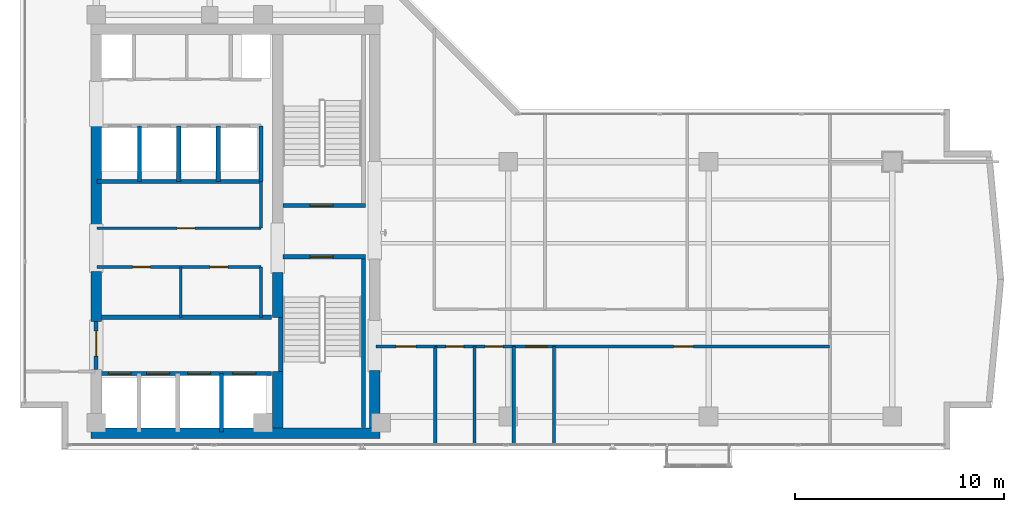
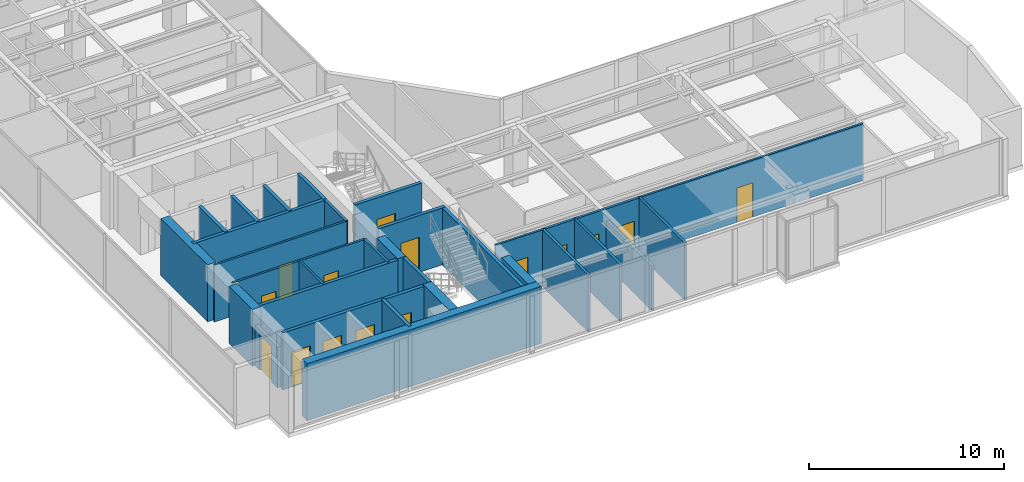
# One storey, part 17 of 24: 31 walls, 15 doors, 15 openings.
"""IFC4 building model written with IfcOpenShell, lengths in metres."""

from ifc_helpers import new_model, si_unit, direction, frame, frame_2d, origin, place, context, subcontext, project, spatial, rectangle, extrude, material, layer, layer_set, type_object, element, fill, save


model = new_model("IFC4")

# Units and contexts
model_context = context("Model", 3, precision=1e-05, world=origin(), true_north=direction((0.0, 1.0)))
body_context = subcontext(model_context, "Body", "Model", "MODEL_VIEW")
ifc_project = project(units=[si_unit("LENGTHUNIT", "METRE"), si_unit("AREAUNIT", "SQUARE_METRE"), si_unit("VOLUMEUNIT", "CUBIC_METRE"), si_unit("PLANEANGLEUNIT", "RADIAN"), si_unit("MASSUNIT", "GRAM", prefix="KILO")], contexts=[model_context])

# Site, building, storey
site_placement = place(None, origin())
site = spatial("IfcSite", under=ifc_project, at=site_placement, CompositionType="ELEMENT")
building_placement = place(site_placement, origin())
building = spatial("IfcBuilding", under=site, at=building_placement, Name="Kolvaren Waterfront Exchange", CompositionType="ELEMENT")
storey_placement = place(building_placement, frame((0.0, 0.0, 285.60009765625)))
storey = spatial("IfcBuildingStorey", under=building, at=storey_placement, Name="L73", CompositionType="ELEMENT", Elevation=285.60009765625)

# Wall, opening, door
ifc_material_1 = material(Name="Precast concrete C40/50", Category="concrete")
ifc_layer_1 = layer(ifc_material_1, 0.199951171875, Name="Precast concrete C40/50")
ifc_layer_set_1 = layer_set([ifc_layer_1], Name="Precast concrete C40/50")
wall_type_1 = type_object("IfcWallType", Name="ARC-FIRE-200", PredefinedType="PARTITIONING", material=ifc_layer_set_1)
wall_1_placement = place(storey_placement, frame((16.39990234375, 12.85009765625, 0.0), z_axis=(0.0, 0.0, 1.0), x_axis=(1.0, 0.0, 0.0)))
wall_1 = element("IfcWall", 1, at=wall_1_placement, inside=storey, type_object=wall_type_1, Name="L73 interior wall PW-L73-ST1-THROAT-S", PredefinedType="PARTITIONING", context=body_context, shape_type="SweptSolid", body=[
    extrude(rectangle(XDim=3.960205078125, YDim=0.199951171875, at=frame_2d((1.97998046875, 0.0))), origin(), (0.0, 0.0, 1.0), 3.559814453125),
])
opening_1_placement = place(wall_1_placement, frame((1.3037109375, 0.0, 0.0)))
opening_1 = element("IfcOpeningElement", 2, at=opening_1_placement, cuts=wall_1, Name="Opening FD2", PredefinedType="OPENING", context=body_context, shape_type="SweptSolid", body=[
    extrude(rectangle(XDim=1.10009765625, YDim=2.199951171875, at=frame_2d((0.550048828125, 1.10009765625))), frame((0.0, 0.10986328125, 0.0), z_axis=(0.0, -1.0, 0.0), x_axis=(1.0, 0.0, 0.0)), (0.0, 0.0, 1.0), 0.219970703125),
])
ifc_material_2 = material(Name="Pressed steel smoke-seal fire door", Category="steel")
door_type_1 = type_object("IfcDoorType", Name="ARC-FD-1100", OperationType="NOTDEFINED", PredefinedType="DOOR", material=ifc_material_2)
door_1_placement = place(opening_1_placement, frame((1.10009765625, 0.0, 0.0), z_axis=(0.0, 0.0, 1.0), x_axis=(-1.0, 0.0, 0.0)))
door_1 = element("IfcDoor", 3, at=door_1_placement, inside=storey, type_object=door_type_1, Name="L73 door DR-L73-ST1-IN (FD2)", OperationType="SINGLE_SWING_LEFT", OverallHeight=2.199951171875, OverallWidth=1.10009765625, PredefinedType="DOOR", context=body_context, shape_type="SweptSolid", body=[
    extrude(rectangle(XDim=1.10009765625, YDim=2.199951171875, at=frame_2d((0.550048828125, 1.10009765625))), frame((0.0, 0.02490234375, 0.0), z_axis=(0.0, -1.0, 0.0), x_axis=(1.0, 0.0, 0.0)), (0.0, 0.0, 1.0), 0.050048828125),
])
fill(opening_1, door_1)

wall_2_placement = place(storey_placement, frame((16.409912109375, 15.300048828125, 0.0), z_axis=(0.0, 0.0, 1.0), x_axis=(1.0, 0.0, 0.0)))
wall_2 = element("IfcWall", 4, at=wall_2_placement, inside=storey, type_object=wall_type_1, Name="L73 interior wall PW-L73-ST2-THROAT-N", PredefinedType="PARTITIONING", context=body_context, shape_type="SweptSolid", body=[
    extrude(rectangle(XDim=3.9501953125, YDim=0.199951171875, at=frame_2d((1.97509765625, 0.0))), origin(), (0.0, 0.0, 1.0), 3.559814453125),
])
opening_2_placement = place(wall_2_placement, frame((1.293701171875, 0.0, 0.0)))
opening_2 = element("IfcOpeningElement", 5, at=opening_2_placement, cuts=wall_2, Name="Opening FD2", PredefinedType="OPENING", context=body_context, shape_type="SweptSolid", body=[
    extrude(rectangle(XDim=1.10009765625, YDim=2.199951171875, at=frame_2d((0.550048828125, 1.10009765625))), frame((0.0, 0.10986328125, 0.0), z_axis=(0.0, -1.0, 0.0), x_axis=(1.0, 0.0, 0.0)), (0.0, 0.0, 1.0), 0.219970703125),
])
door_2_placement = place(opening_2_placement, origin())
door_2 = element("IfcDoor", 6, at=door_2_placement, inside=storey, type_object=door_type_1, Name="L73 door DR-L73-ST2-IN (FD2)", OperationType="SINGLE_SWING_RIGHT", OverallHeight=2.199951171875, OverallWidth=1.10009765625, PredefinedType="DOOR", context=body_context, shape_type="SweptSolid", body=[
    extrude(rectangle(XDim=1.10009765625, YDim=2.199951171875, at=frame_2d((0.550048828125, 1.10009765625))), frame((0.0, 0.02490234375, 0.0), z_axis=(0.0, -1.0, 0.0), x_axis=(1.0, 0.0, 0.0)), (0.0, 0.0, 1.0), 0.050048828125),
])
fill(opening_2, door_2)

# Wall
wall_3_placement = place(storey_placement, frame((7.5, 9.949951171875, 0.0), z_axis=(0.0, 0.0, 1.0), x_axis=(1.0, 0.0, 0.0)))
element("IfcWall", 7, at=wall_3_placement, inside=storey, type_object=wall_type_1, Name="L73 interior wall PW-L73-FF-N", PredefinedType="PARTITIONING", context=body_context, shape_type="SweptSolid", body=[
    extrude(rectangle(XDim=8.35009765625, YDim=0.199951171875, at=frame_2d((4.175048828125, 0.0))), origin(), (0.0, 0.0, 1.0), 3.559814453125),
])

# Wall, opening, door
wall_4_placement = place(storey_placement, frame((7.449951171875, 7.449951171875, 0.0), z_axis=(0.0, 0.0, 1.0), x_axis=(0.0, 1.0, 0.0)))
wall_4 = element("IfcWall", 8, at=wall_4_placement, inside=storey, type_object=wall_type_1, Name="L73 interior wall PW-L73-FF-W-DOOR", PredefinedType="PARTITIONING", context=body_context, shape_type="SweptSolid", body=[
    extrude(rectangle(XDim=2.300048828125, YDim=0.199951171875, at=frame_2d((1.14990234375, 0.0))), origin(), (0.0, 0.0, 1.0), 2.539794921875),
])
opening_3_placement = place(wall_4_placement, frame((0.63330078125, 0.0, 0.0)))
opening_3 = element("IfcOpeningElement", 9, at=opening_3_placement, cuts=wall_4, Name="Opening FD3", PredefinedType="OPENING", context=body_context, shape_type="SweptSolid", body=[
    extrude(rectangle(XDim=1.199951171875, YDim=2.25, at=frame_2d((0.60009765625, 1.125))), frame((0.0, 0.10986328125, 0.0), z_axis=(0.0, -1.0, 0.0), x_axis=(1.0, 0.0, 0.0)), (0.0, 0.0, 1.0), 0.219970703125),
])
ifc_material_3 = material(Name="Pressed steel fire door", Category="steel")
door_type_2 = type_object("IfcDoorType", Name="ARC-FD-1200", OperationType="NOTDEFINED", PredefinedType="DOOR", material=ifc_material_3)
door_3_placement = place(opening_3_placement, frame((1.199951171875, 0.0, 0.0), z_axis=(0.0, 0.0, 1.0), x_axis=(-1.0, 0.0, 0.0)))
door_3 = element("IfcDoor", 10, at=door_3_placement, inside=storey, type_object=door_type_2, Name="L73 door DR-L73-FF-OUT (FD3)", OperationType="SINGLE_SWING_LEFT", OverallHeight=2.25, OverallWidth=1.199951171875, PredefinedType="DOOR", context=body_context, shape_type="SweptSolid", body=[
    extrude(rectangle(XDim=1.199951171875, YDim=2.25, at=frame_2d((0.60009765625, 1.125))), frame((0.0, 0.02490234375, 0.0), z_axis=(0.0, -1.0, 0.0), x_axis=(1.0, 0.0, 0.0)), (0.0, 0.0, 1.0), 0.050048828125),
])
fill(opening_3, door_3)

# Wall, openings, doors
ifc_material_4 = material(Name="Acoustic gypsum steel stud", Category="steel")
ifc_layer_2 = layer(ifc_material_4, 0.125, Name="Acoustic gypsum steel stud")
ifc_layer_set_2 = layer_set([ifc_layer_2], Name="Acoustic gypsum steel stud")
wall_type_2 = type_object("IfcWallType", Name="ARC-PART-125", PredefinedType="PARTITIONING", material=ifc_layer_set_2)
wall_5_placement = place(storey_placement, frame((7.5, 12.360107421875, 0.0), z_axis=(0.0, 0.0, 1.0), x_axis=(1.0, 0.0, 0.0)))
wall_5 = element("IfcWall", 11, at=wall_5_placement, inside=storey, type_object=wall_type_2, Name="L73 interior wall PW-L73-REC-HI-S", PredefinedType="PARTITIONING", context=body_context, shape_type="SweptSolid", body=[
    extrude(rectangle(XDim=7.85009765625, YDim=0.125, at=frame_2d((3.925048828125, 0.0))), origin(), (0.0, 0.0, 1.0), 3.559814453125),
])
opening_4_placement = place(wall_5_placement, frame((1.699951171875, 0.0, 0.0)))
opening_4 = element("IfcOpeningElement", 12, at=opening_4_placement, cuts=wall_5, Name="Opening D01", PredefinedType="OPENING", context=body_context, shape_type="SweptSolid", body=[
    extrude(rectangle(XDim=0.85009765625, YDim=2.14990234375, at=frame_2d((0.425048828125, 1.074951171875))), frame((0.0, 0.072509765625, 0.0), z_axis=(0.0, -1.0, 0.0), x_axis=(1.0, 0.0, 0.0)), (0.0, 0.0, 1.0), 0.14501953125),
])
opening_5_placement = place(wall_5_placement, frame((5.41259765625, 0.0, 0.0)))
opening_5 = element("IfcOpeningElement", 13, at=opening_5_placement, cuts=wall_5, Name="Opening D01", PredefinedType="OPENING", context=body_context, shape_type="SweptSolid", body=[
    extrude(rectangle(XDim=0.85009765625, YDim=2.14990234375, at=frame_2d((0.425048828125, 1.074951171875))), frame((0.0, 0.072509765625, 0.0), z_axis=(0.0, -1.0, 0.0), x_axis=(1.0, 0.0, 0.0)), (0.0, 0.0, 1.0), 0.14501953125),
])
ifc_material_5 = material(Name="Oak veneer timber leaf", Category="wood")
door_type_3 = type_object("IfcDoorType", Name="ARC-DR-900", OperationType="NOTDEFINED", PredefinedType="DOOR", material=ifc_material_5)
door_4_placement = place(opening_4_placement, origin())
door_4 = element("IfcDoor", 14, at=door_4_placement, inside=storey, type_object=door_type_3, Name="L73 door DR-L73-REC-HI-D1 (D01)", OperationType="SINGLE_SWING_RIGHT", OverallHeight=2.14990234375, OverallWidth=0.85009765625, PredefinedType="DOOR", context=body_context, shape_type="SweptSolid", body=[
    extrude(rectangle(XDim=0.85009765625, YDim=2.14990234375, at=frame_2d((0.425048828125, 1.074951171875))), frame((0.0, 0.02490234375, 0.0), z_axis=(0.0, -1.0, 0.0), x_axis=(1.0, 0.0, 0.0)), (0.0, 0.0, 1.0), 0.050048828125),
])
fill(opening_4, door_4)
door_5_placement = place(opening_5_placement, origin())
door_5 = element("IfcDoor", 15, at=door_5_placement, inside=storey, type_object=door_type_3, Name="L73 door DR-L73-REC-HI-D2 (D01)", OperationType="SINGLE_SWING_LEFT", OverallHeight=2.14990234375, OverallWidth=0.85009765625, PredefinedType="DOOR", context=body_context, shape_type="SweptSolid", body=[
    extrude(rectangle(XDim=0.85009765625, YDim=2.14990234375, at=frame_2d((0.425048828125, 1.074951171875))), frame((0.0, 0.02490234375, 0.0), z_axis=(0.0, -1.0, 0.0), x_axis=(1.0, 0.0, 0.0)), (0.0, 0.0, 1.0), 0.050048828125),
])
fill(opening_5, door_5)

# Wall, opening, door
wall_6_placement = place(storey_placement, frame((7.5, 14.219970703125, 0.0), z_axis=(0.0, 0.0, 1.0), x_axis=(1.0, 0.0, 0.0)))
wall_6 = element("IfcWall", 16, at=wall_6_placement, inside=storey, type_object=wall_type_2, Name="L73 interior wall PW-L73-REC-HI-N", PredefinedType="PARTITIONING", context=body_context, shape_type="SweptSolid", body=[
    extrude(rectangle(XDim=7.85009765625, YDim=0.125, at=frame_2d((3.925048828125, 0.0))), origin(), (0.0, 0.0, 1.0), 3.559814453125),
])
opening_6_placement = place(wall_6_placement, frame((3.824951171875, 0.0, 0.0)))
opening_6 = element("IfcOpeningElement", 17, at=opening_6_placement, cuts=wall_6, Name="Opening D01", PredefinedType="OPENING", context=body_context, shape_type="SweptSolid", body=[
    extrude(rectangle(XDim=0.85009765625, YDim=2.14990234375, at=frame_2d((0.425048828125, 1.074951171875))), frame((0.0, 0.072509765625, 0.0), z_axis=(0.0, -1.0, 0.0), x_axis=(1.0, 0.0, 0.0)), (0.0, 0.0, 1.0), 0.14501953125),
])
door_6_placement = place(opening_6_placement, origin())
door_6 = element("IfcDoor", 18, at=door_6_placement, inside=storey, type_object=door_type_3, Name="L73 door DR-L73-REC-HI-D3 (D01)", OperationType="SINGLE_SWING_RIGHT", OverallHeight=2.14990234375, OverallWidth=0.85009765625, PredefinedType="DOOR", context=body_context, shape_type="SweptSolid", body=[
    extrude(rectangle(XDim=0.85009765625, YDim=2.14990234375, at=frame_2d((0.425048828125, 1.074951171875))), frame((0.0, 0.02490234375, 0.0), z_axis=(0.0, -1.0, 0.0), x_axis=(1.0, 0.0, 0.0)), (0.0, 0.0, 1.0), 0.050048828125),
])
fill(opening_6, door_6)

# Wall
wall_7_placement = place(storey_placement, frame((11.5, 9.949951171875, 0.0), z_axis=(0.0, 0.0, 1.0), x_axis=(0.0, 1.0, 0.0)))
element("IfcWall", 19, at=wall_7_placement, inside=storey, type_object=wall_type_2, Name="L73 interior wall PW-L73-REC-HI-MS1", PredefinedType="PARTITIONING", context=body_context, shape_type="SweptSolid", body=[
    extrude(rectangle(XDim=2.41015625, YDim=0.125, at=frame_2d((1.205078125, 0.0))), origin(), (0.0, 0.0, 1.0), 3.559814453125),
])

# Wall, opening, door
wall_8_placement = place(storey_placement, frame((20.85009765625, 8.550048828125, 0.0), z_axis=(0.0, 0.0, 1.0), x_axis=(1.0, 0.0, 0.0)))
wall_8 = element("IfcWall", 20, at=wall_8_placement, inside=storey, type_object=wall_type_2, Name="L73 interior wall PW-L73-SWST3-N", PredefinedType="PARTITIONING", context=body_context, shape_type="SweptSolid", body=[
    extrude(rectangle(XDim=2.849853515625, YDim=0.125, at=frame_2d((1.4248046875, 0.0))), origin(), (0.0, 0.0, 1.0), 3.559814453125),
])
opening_7_placement = place(wall_8_placement, frame((0.971435546875, 0.0, 0.0)))
opening_7 = element("IfcOpeningElement", 21, at=opening_7_placement, cuts=wall_8, Name="Opening D02", PredefinedType="OPENING", context=body_context, shape_type="SweptSolid", body=[
    extrude(rectangle(XDim=0.949951171875, YDim=2.14990234375, at=frame_2d((0.47509765625, 1.074951171875))), frame((0.0, 0.072509765625, 0.0), z_axis=(0.0, -1.0, 0.0), x_axis=(1.0, 0.0, 0.0)), (0.0, 0.0, 1.0), 0.14501953125),
])
ifc_material_6 = material(Name="Oak veneer acoustic timber", Category="wood")
door_type_4 = type_object("IfcDoorType", Name="ARC-DR-950", OperationType="NOTDEFINED", PredefinedType="DOOR", material=ifc_material_6)
door_7_placement = place(opening_7_placement, origin())
door_7 = element("IfcDoor", 22, at=door_7_placement, inside=storey, type_object=door_type_4, Name="L73 door DR-L73-SWST3-D (D02)", OperationType="SINGLE_SWING_RIGHT", OverallHeight=2.14990234375, OverallWidth=0.949951171875, PredefinedType="DOOR", context=body_context, shape_type="SweptSolid", body=[
    extrude(rectangle(XDim=0.949951171875, YDim=2.14990234375, at=frame_2d((0.47509765625, 1.074951171875))), frame((0.0, 0.02490234375, 0.0), z_axis=(0.0, -1.0, 0.0), x_axis=(1.0, 0.0, 0.0)), (0.0, 0.0, 1.0), 0.050048828125),
])
fill(opening_7, door_7)

wall_9_placement = place(storey_placement, frame((29.39990234375, 8.550048828125, 0.0), z_axis=(0.0, 0.0, 1.0), x_axis=(1.0, 0.0, 0.0)))
wall_9 = element("IfcWall", 23, at=wall_9_placement, inside=storey, type_object=wall_type_2, Name="L73 interior wall PW-L73-ES-CORR", PredefinedType="PARTITIONING", context=body_context, shape_type="SweptSolid", body=[
    extrude(rectangle(XDim=13.2001953125, YDim=0.125, at=frame_2d((6.60009765625, 0.0))), origin(), (0.0, 0.0, 1.0), 3.559814453125),
])
opening_8_placement = place(wall_9_placement, frame((5.719970703125, 0.0, 0.0)))
opening_8 = element("IfcOpeningElement", 24, at=opening_8_placement, cuts=wall_9, Name="Opening D02", PredefinedType="OPENING", context=body_context, shape_type="SweptSolid", body=[
    extrude(rectangle(XDim=0.949951171875, YDim=2.14990234375, at=frame_2d((0.47509765625, 1.074951171875))), frame((0.0, 0.072509765625, 0.0), z_axis=(0.0, -1.0, 0.0), x_axis=(1.0, 0.0, 0.0)), (0.0, 0.0, 1.0), 0.14501953125),
])
door_8_placement = place(opening_8_placement, origin())
door_8 = element("IfcDoor", 25, at=door_8_placement, inside=storey, type_object=door_type_4, Name="L73 door DR-L73-ES-D-1 (D02)", OperationType="SINGLE_SWING_LEFT", OverallHeight=2.14990234375, OverallWidth=0.949951171875, PredefinedType="DOOR", context=body_context, shape_type="SweptSolid", body=[
    extrude(rectangle(XDim=0.949951171875, YDim=2.14990234375, at=frame_2d((0.47509765625, 1.074951171875))), frame((0.0, 0.02490234375, 0.0), z_axis=(0.0, -1.0, 0.0), x_axis=(1.0, 0.0, 0.0)), (0.0, 0.0, 1.0), 0.050048828125),
])
fill(opening_8, door_8)

# Walls
ifc_material_7 = material(Name="Gypsum fireboard steel stud", Category="steel")
ifc_layer_3 = layer(ifc_material_7, 0.14990234375, Name="Gypsum fireboard steel stud")
ifc_layer_set_3 = layer_set([ifc_layer_3], Name="Gypsum fireboard steel stud")
wall_type_3 = type_object("IfcWallType", Name="ARC-PART-150", PredefinedType="PARTITIONING", material=ifc_layer_set_3)
wall_10_placement = place(storey_placement, frame((15.35009765625, 9.949951171875, 0.0), z_axis=(0.0, 0.0, 1.0), x_axis=(0.0, 1.0, 0.0)))
element("IfcWall", 26, at=wall_10_placement, inside=storey, type_object=wall_type_3, Name="L73 interior wall PW-L73-REC-HI-E1", PredefinedType="PARTITIONING", context=body_context, shape_type="SweptSolid", body=[
    extrude(rectangle(XDim=2.41015625, YDim=0.14990234375, at=frame_2d((1.205078125, 0.0))), origin(), (0.0, 0.0, 1.0), 3.559814453125),
])
wall_11_placement = place(storey_placement, frame((15.35009765625, 14.219970703125, 0.0), z_axis=(0.0, 0.0, 1.0), x_axis=(0.0, 1.0, 0.0)))
element("IfcWall", 27, at=wall_11_placement, inside=storey, type_object=wall_type_3, Name="L73 interior wall PW-L73-REC-HI-E2", PredefinedType="PARTITIONING", context=body_context, shape_type="SweptSolid", body=[
    extrude(rectangle(XDim=2.22998046875, YDim=0.14990234375, at=frame_2d((1.114990234375, 0.0))), origin(), (0.0, 0.0, 1.0), 3.559814453125),
])
ifc_material_8 = material(Name="Moisture-resistant gypsum stud")
ifc_layer_4 = layer(ifc_material_8, 0.14990234375, Name="Moisture-resistant gypsum stud")
ifc_layer_set_4 = layer_set([ifc_layer_4], Name="Moisture-resistant gypsum stud")
wall_type_4 = type_object("IfcWallType", Name="ARC-PLUMB-150", PredefinedType="PLUMBINGWALL", material=ifc_layer_set_4)
wall_12_placement = place(storey_placement, frame((23.699951171875, 3.840087890625, 0.0), z_axis=(0.0, 0.0, 1.0), x_axis=(0.0, 1.0, 0.0)))
element("IfcWall", 28, at=wall_12_placement, inside=storey, type_object=wall_type_4, Name="L73 interior wall PW-L73-WC-0", PredefinedType="PLUMBINGWALL", context=body_context, shape_type="SweptSolid", body=[
    extrude(rectangle(XDim=4.7099609375, YDim=0.14990234375, at=frame_2d((2.35498046875, 0.0))), origin(), (0.0, 0.0, 1.0), 3.559814453125),
])

# Wall, openings, doors
wall_13_placement = place(storey_placement, frame((23.699951171875, 8.550048828125, 0.0), z_axis=(0.0, 0.0, 1.0), x_axis=(1.0, 0.0, 0.0)))
wall_13 = element("IfcWall", 29, at=wall_13_placement, inside=storey, type_object=wall_type_4, Name="L73 interior wall PW-L73-WC-N", PredefinedType="PLUMBINGWALL", context=body_context, shape_type="SweptSolid", body=[
    extrude(rectangle(XDim=5.699951171875, YDim=0.14990234375, at=frame_2d((2.85009765625, 0.0))), origin(), (0.0, 0.0, 1.0), 3.559814453125),
])
opening_9_placement = place(wall_13_placement, frame((0.514892578125, 0.0, 0.0)))
opening_9 = element("IfcOpeningElement", 30, at=opening_9_placement, cuts=wall_13, Name="Opening D01", PredefinedType="OPENING", context=body_context, shape_type="SweptSolid", body=[
    extrude(rectangle(XDim=0.85009765625, YDim=2.14990234375, at=frame_2d((0.425048828125, 1.074951171875))), frame((0.0, 0.0849609375, 0.0), z_axis=(0.0, -1.0, 0.0), x_axis=(1.0, 0.0, 0.0)), (0.0, 0.0, 1.0), 0.169921875),
])
opening_10_placement = place(wall_13_placement, frame((2.39501953125, 0.0, 0.0)))
opening_10 = element("IfcOpeningElement", 31, at=opening_10_placement, cuts=wall_13, Name="Opening D01", PredefinedType="OPENING", context=body_context, shape_type="SweptSolid", body=[
    extrude(rectangle(XDim=0.85009765625, YDim=2.14990234375, at=frame_2d((0.425048828125, 1.074951171875))), frame((0.0, 0.0849609375, 0.0), z_axis=(0.0, -1.0, 0.0), x_axis=(1.0, 0.0, 0.0)), (0.0, 0.0, 1.0), 0.169921875),
])
opening_11_placement = place(wall_13_placement, frame((4.35009765625, 0.0, 0.0)))
opening_11 = element("IfcOpeningElement", 32, at=opening_11_placement, cuts=wall_13, Name="Opening D03", PredefinedType="OPENING", context=body_context, shape_type="SweptSolid", body=[
    extrude(rectangle(XDim=1.0, YDim=2.199951171875, at=frame_2d((0.5, 1.10009765625))), frame((0.0, 0.0849609375, 0.0), z_axis=(0.0, -1.0, 0.0), x_axis=(1.0, 0.0, 0.0)), (0.0, 0.0, 1.0), 0.169921875),
])
ifc_material_9 = material(Name="Oak veneer accessible timber", Category="wood")
door_type_5 = type_object("IfcDoorType", Name="ARC-DR-1000", OperationType="NOTDEFINED", PredefinedType="DOOR", material=ifc_material_9)
door_9_placement = place(opening_11_placement, origin())
door_9 = element("IfcDoor", 33, at=door_9_placement, inside=storey, type_object=door_type_5, Name="L73 door DR-L73-WCA-D (D03)", OperationType="SINGLE_SWING_RIGHT", OverallHeight=2.199951171875, OverallWidth=1.0, PredefinedType="DOOR", context=body_context, shape_type="SweptSolid", body=[
    extrude(rectangle(XDim=1.0, YDim=2.199951171875, at=frame_2d((0.5, 1.10009765625))), frame((0.0, 0.02490234375, 0.0), z_axis=(0.0, -1.0, 0.0), x_axis=(1.0, 0.0, 0.0)), (0.0, 0.0, 1.0), 0.050048828125),
])
fill(opening_11, door_9)
door_10_placement = place(opening_9_placement, origin())
door_10 = element("IfcDoor", 34, at=door_10_placement, inside=storey, type_object=door_type_3, Name="L73 door DR-L73-WCM-D (D01)", OperationType="SINGLE_SWING_RIGHT", OverallHeight=2.14990234375, OverallWidth=0.85009765625, PredefinedType="DOOR", context=body_context, shape_type="SweptSolid", body=[
    extrude(rectangle(XDim=0.85009765625, YDim=2.14990234375, at=frame_2d((0.425048828125, 1.074951171875))), frame((0.0, 0.02490234375, 0.0), z_axis=(0.0, -1.0, 0.0), x_axis=(1.0, 0.0, 0.0)), (0.0, 0.0, 1.0), 0.050048828125),
])
fill(opening_9, door_10)
door_11_placement = place(opening_10_placement, origin())
door_11 = element("IfcDoor", 35, at=door_11_placement, inside=storey, type_object=door_type_3, Name="L73 door DR-L73-WCF-D (D01)", OperationType="SINGLE_SWING_LEFT", OverallHeight=2.14990234375, OverallWidth=0.85009765625, PredefinedType="DOOR", context=body_context, shape_type="SweptSolid", body=[
    extrude(rectangle(XDim=0.85009765625, YDim=2.14990234375, at=frame_2d((0.425048828125, 1.074951171875))), frame((0.0, 0.02490234375, 0.0), z_axis=(0.0, -1.0, 0.0), x_axis=(1.0, 0.0, 0.0)), (0.0, 0.0, 1.0), 0.050048828125),
])
fill(opening_10, door_11)

# Walls
wall_14_placement = place(storey_placement, frame((25.580078125, 3.840087890625, 0.0), z_axis=(0.0, 0.0, 1.0), x_axis=(0.0, 1.0, 0.0)))
element("IfcWall", 36, at=wall_14_placement, inside=storey, type_object=wall_type_4, Name="L73 interior wall PW-L73-WC-1", PredefinedType="PLUMBINGWALL", context=body_context, shape_type="SweptSolid", body=[
    extrude(rectangle(XDim=4.7099609375, YDim=0.14990234375, at=frame_2d((2.35498046875, 0.0))), origin(), (0.0, 0.0, 1.0), 3.559814453125),
])
wall_15_placement = place(storey_placement, frame((27.4599609375, 3.840087890625, 0.0), z_axis=(0.0, 0.0, 1.0), x_axis=(0.0, 1.0, 0.0)))
element("IfcWall", 37, at=wall_15_placement, inside=storey, type_object=wall_type_4, Name="L73 interior wall PW-L73-WC-2", PredefinedType="PLUMBINGWALL", context=body_context, shape_type="SweptSolid", body=[
    extrude(rectangle(XDim=4.7099609375, YDim=0.14990234375, at=frame_2d((2.35498046875, 0.0))), origin(), (0.0, 0.0, 1.0), 2.7978515625),
])
wall_16_placement = place(storey_placement, frame((29.39990234375, 3.840087890625, 0.0), z_axis=(0.0, 0.0, 1.0), x_axis=(0.0, 1.0, 0.0)))
element("IfcWall", 38, at=wall_16_placement, inside=storey, type_object=wall_type_4, Name="L73 interior wall PW-L73-WC-3", PredefinedType="PLUMBINGWALL", context=body_context, shape_type="SweptSolid", body=[
    extrude(rectangle(XDim=4.7099609375, YDim=0.14990234375, at=frame_2d((2.35498046875, 0.0))), origin(), (0.0, 0.0, 1.0), 3.559814453125),
])
ifc_material_10 = material(Name="Concrete C40/50", Category="concrete")
ifc_layer_5 = layer(ifc_material_10, 0.199951171875, Name="Concrete C40/50")
ifc_layer_set_5 = layer_set([ifc_layer_5], Name="Concrete C40/50")
wall_type_5 = type_object("IfcWallType", Name="ARC-SHAFT-200", PredefinedType="PARTITIONING", material=ifc_layer_set_5)
wall_17_placement = place(storey_placement, frame((16.300048828125, 7.360107421875, 0.0), z_axis=(0.0, 0.0, 1.0), x_axis=(0.0, 1.0, 0.0)))
element("IfcWall", 39, at=wall_17_placement, inside=storey, type_object=wall_type_5, Name="L73 structural stairwell wall PW-L73-ST1-W", PredefinedType="SHEAR", context=body_context, shape_type="SweptSolid", body=[
    extrude(rectangle(XDim=2.579833984375, YDim=0.199951171875, at=frame_2d((1.2900390625, 0.0))), origin(), (0.0, 0.0, 1.0), 3.559814453125),
])
wall_18_placement = place(storey_placement, frame((20.260009765625, 4.659912109375, 0.0), z_axis=(0.0, 0.0, 1.0), x_axis=(0.0, 1.0, 0.0)))
element("IfcWall", 40, at=wall_18_placement, inside=storey, type_object=wall_type_5, Name="L73 structural stairwell wall PW-L73-ST1-E", PredefinedType="SHEAR", context=body_context, shape_type="SweptSolid", body=[
    extrude(rectangle(XDim=8.090087890625, YDim=0.199951171875, at=frame_2d((4.044921875, 0.0))), origin(), (0.0, 0.0, 1.0), 3.559814453125),
])

# Wall, openings, doors
wall_19_placement = place(storey_placement, frame((7.5, 7.25, 0.0), z_axis=(0.0, 0.0, 1.0), x_axis=(1.0, 0.0, 0.0)))
wall_19 = element("IfcWall", 41, at=wall_19_placement, inside=storey, type_object=wall_type_5, Name="L73 interior wall PW-L73-FF-S", PredefinedType="PARTITIONING", context=body_context, shape_type="SweptSolid", body=[
    extrude(rectangle(XDim=8.35009765625, YDim=0.199951171875, at=frame_2d((4.175048828125, 0.0))), origin(), (0.0, 0.0, 1.0), 3.559814453125),
])
opening_12_placement = place(wall_19_placement, frame((0.530029296875, 0.0, 0.0)))
opening_12 = element("IfcOpeningElement", 42, at=opening_12_placement, cuts=wall_19, Name="Opening LD1", PredefinedType="OPENING", context=body_context, shape_type="SweptSolid", body=[
    extrude(rectangle(XDim=1.10009765625, YDim=2.199951171875, at=frame_2d((0.550048828125, 1.10009765625))), frame((0.0, 0.10986328125, 0.0), z_axis=(0.0, -1.0, 0.0), x_axis=(1.0, 0.0, 0.0)), (0.0, 0.0, 1.0), 0.219970703125),
])
opening_13_placement = place(wall_19_placement, frame((2.3701171875, 0.0, 0.0)))
opening_13 = element("IfcOpeningElement", 43, at=opening_13_placement, cuts=wall_19, Name="Opening LD1", PredefinedType="OPENING", context=body_context, shape_type="SweptSolid", body=[
    extrude(rectangle(XDim=1.10009765625, YDim=2.199951171875, at=frame_2d((0.550048828125, 1.10009765625))), frame((0.0, 0.10986328125, 0.0), z_axis=(0.0, -1.0, 0.0), x_axis=(1.0, 0.0, 0.0)), (0.0, 0.0, 1.0), 0.219970703125),
])
opening_14_placement = place(wall_19_placement, frame((4.330078125, 0.0, 0.0)))
opening_14 = element("IfcOpeningElement", 44, at=opening_14_placement, cuts=wall_19, Name="Opening LD1", PredefinedType="OPENING", context=body_context, shape_type="SweptSolid", body=[
    extrude(rectangle(XDim=1.10009765625, YDim=2.199951171875, at=frame_2d((0.550048828125, 1.10009765625))), frame((0.0, 0.10986328125, 0.0), z_axis=(0.0, -1.0, 0.0), x_axis=(1.0, 0.0, 0.0)), (0.0, 0.0, 1.0), 0.219970703125),
])
opening_15_placement = place(wall_19_placement, frame((6.5, 0.0, 0.0)))
opening_15 = element("IfcOpeningElement", 45, at=opening_15_placement, cuts=wall_19, Name="Opening LD1", PredefinedType="OPENING", context=body_context, shape_type="SweptSolid", body=[
    extrude(rectangle(XDim=1.10009765625, YDim=2.199951171875, at=frame_2d((0.550048828125, 1.10009765625))), frame((0.0, 0.10986328125, 0.0), z_axis=(0.0, -1.0, 0.0), x_axis=(1.0, 0.0, 0.0)), (0.0, 0.0, 1.0), 0.219970703125),
])
ifc_material_11 = material(Name="Stainless steel sliding landing door", Category="steel")
door_type_6 = type_object("IfcDoorType", Name="ARC-LD-FF", OperationType="SLIDING_TO_LEFT", PredefinedType="DOOR", material=ifc_material_11)
door_12_placement = place(opening_12_placement, origin())
door_12 = element("IfcDoor", 46, at=door_12_placement, inside=storey, type_object=door_type_6, Name="L73 door LD-L73-FFL1 (LD1)", OperationType="SLIDING_TO_LEFT", OverallHeight=2.199951171875, OverallWidth=1.10009765625, PredefinedType="DOOR", context=body_context, shape_type="SweptSolid", body=[
    extrude(rectangle(XDim=1.10009765625, YDim=2.199951171875, at=frame_2d((0.550048828125, 1.10009765625))), frame((0.0, 0.02490234375, 0.0), z_axis=(0.0, -1.0, 0.0), x_axis=(1.0, 0.0, 0.0)), (0.0, 0.0, 1.0), 0.050048828125),
])
fill(opening_12, door_12)
door_13_placement = place(opening_13_placement, origin())
door_13 = element("IfcDoor", 47, at=door_13_placement, inside=storey, type_object=door_type_6, Name="L73 door LD-L73-FFL2 (LD1)", OperationType="SLIDING_TO_LEFT", OverallHeight=2.199951171875, OverallWidth=1.10009765625, PredefinedType="DOOR", context=body_context, shape_type="SweptSolid", body=[
    extrude(rectangle(XDim=1.10009765625, YDim=2.199951171875, at=frame_2d((0.550048828125, 1.10009765625))), frame((0.0, 0.02490234375, 0.0), z_axis=(0.0, -1.0, 0.0), x_axis=(1.0, 0.0, 0.0)), (0.0, 0.0, 1.0), 0.050048828125),
])
fill(opening_13, door_13)
door_14_placement = place(opening_14_placement, origin())
door_14 = element("IfcDoor", 48, at=door_14_placement, inside=storey, type_object=door_type_6, Name="L73 door LD-L73-GL1 (LD1)", OperationType="SLIDING_TO_LEFT", OverallHeight=2.199951171875, OverallWidth=1.10009765625, PredefinedType="DOOR", context=body_context, shape_type="SweptSolid", body=[
    extrude(rectangle(XDim=1.10009765625, YDim=2.199951171875, at=frame_2d((0.550048828125, 1.10009765625))), frame((0.0, 0.02490234375, 0.0), z_axis=(0.0, -1.0, 0.0), x_axis=(1.0, 0.0, 0.0)), (0.0, 0.0, 1.0), 0.050048828125),
])
fill(opening_14, door_14)
door_15_placement = place(opening_15_placement, origin())
door_15 = element("IfcDoor", 49, at=door_15_placement, inside=storey, type_object=door_type_6, Name="L73 door LD-L73-GL2 (LD1)", OperationType="SLIDING_TO_LEFT", OverallHeight=2.199951171875, OverallWidth=1.10009765625, PredefinedType="DOOR", context=body_context, shape_type="SweptSolid", body=[
    extrude(rectangle(XDim=1.10009765625, YDim=2.199951171875, at=frame_2d((0.550048828125, 1.10009765625))), frame((0.0, 0.02490234375, 0.0), z_axis=(0.0, -1.0, 0.0), x_axis=(1.0, 0.0, 0.0)), (0.0, 0.0, 1.0), 0.050048828125),
])
fill(opening_15, door_15)

# Walls
wall_20_placement = place(storey_placement, frame((13.4599609375, 4.449951171875, 0.0), z_axis=(0.0, 0.0, 1.0), x_axis=(0.0, 1.0, 0.0)))
element("IfcWall", 50, at=wall_20_placement, inside=storey, type_object=wall_type_5, Name="L73 interior wall PW-L73-SH1-DIV-134", PredefinedType="PARTITIONING", context=body_context, shape_type="SweptSolid", body=[
    extrude(rectangle(XDim=2.800048828125, YDim=0.199951171875, at=frame_2d((1.39990234375, 0.0))), origin(), (0.0, 0.0, 1.0), 3.559814453125),
])
wall_21_placement = place(storey_placement, frame((7.5, 16.449951171875, 0.0), z_axis=(0.0, 0.0, 1.0), x_axis=(1.0, 0.0, 0.0)))
element("IfcWall", 51, at=wall_21_placement, inside=storey, type_object=wall_type_5, Name="L73 interior wall PW-L73-REC-PM-N", PredefinedType="PARTITIONING", context=body_context, shape_type="SweptSolid", body=[
    extrude(rectangle(XDim=7.85009765625, YDim=0.199951171875, at=frame_2d((3.925048828125, 0.0))), origin(), (0.0, 0.0, 1.0), 3.559814453125),
])
for number, where, z_axis, x_axis, name in (
    (52, (15.35009765625, 16.449951171875, 0.0), (0.0, 0.0, 1.0), (0.0, 1.0, 0.0), "L73 interior wall PW-L73-PH-E"),
    (53, (9.52001953125, 16.449951171875, 0.0), (0.0, 0.0, 1.0), (0.0, 1.0, 0.0), "L73 interior wall PW-L73-SH4-DIV-95"),
    (54, (11.409912109375, 16.449951171875, 0.0), (0.0, 0.0, 1.0), (0.0, 1.0, 0.0), "L73 interior wall PW-L73-SH4-DIV-114"),
    (55, (13.300048828125, 16.449951171875, 0.0), (0.0, 0.0, 1.0), (0.0, 1.0, 0.0), "L73 interior wall PW-L73-SH4-DIV-133"),
):
    element("IfcWall", number, at=place(storey_placement, frame(where, z_axis=z_axis, x_axis=x_axis)), inside=storey, type_object=wall_type_5, Name=name, PredefinedType="PARTITIONING", context=body_context, shape_type="SweptSolid", body=[
        extrude(rectangle(XDim=2.670166015625, YDim=0.199951171875, at=frame_2d((1.3349609375, 0.0))), origin(), (0.0, 0.0, 1.0), 3.559814453125),
    ])
ifc_material_12 = material(Name="Concrete C50/60", Category="concrete")
ifc_layer_6 = layer(ifc_material_12, 0.5, Name="Concrete C50/60")
ifc_layer_set_6 = layer_set([ifc_layer_6], Name="Concrete C50/60")
wall_type_6 = type_object("IfcWallType", Name="STR-CWALL-500", PredefinedType="SHEAR", material=ifc_layer_set_6)
wall_22_placement = place(storey_placement, frame((7.199951171875, 4.39990234375, 0.0), z_axis=(0.0, 0.0, 1.0), x_axis=(1.0, 0.0, 0.0)))
element("IfcWall", 56, at=wall_22_placement, inside=storey, type_object=wall_type_6, Name="L73 rear-core shear wall S", PredefinedType="SHEAR", context=body_context, shape_type="SweptSolid", body=[
    extrude(rectangle(XDim=13.85009765625, YDim=0.5, at=frame_2d((6.925048828125, 0.0))), origin(), (0.0, 0.0, 1.0), 3.559814453125),
])
wall_23_placement = place(storey_placement, frame((7.449951171875, 9.75, 0.0), z_axis=(0.0, 0.0, 1.0), x_axis=(0.0, 1.0, 0.0)))
element("IfcWall", 57, at=wall_23_placement, inside=storey, type_object=wall_type_6, Name="L73 rear-core shear wall W2A", PredefinedType="SHEAR", context=body_context, shape_type="SweptSolid", body=[
    extrude(rectangle(XDim=2.39990234375, YDim=0.5, at=frame_2d((1.199951171875, 0.0))), origin(), (0.0, 0.0, 1.0), 3.559814453125),
])
wall_24_placement = place(storey_placement, frame((7.449951171875, 14.35009765625, 0.0), z_axis=(0.0, 0.0, 1.0), x_axis=(0.0, 1.0, 0.0)))
element("IfcWall", 58, at=wall_24_placement, inside=storey, type_object=wall_type_6, Name="L73 rear-core shear wall W2B", PredefinedType="SHEAR", context=body_context, shape_type="SweptSolid", body=[
    extrude(rectangle(XDim=4.809814453125, YDim=0.5, at=frame_2d((2.40478515625, 0.0))), origin(), (0.0, 0.0, 1.0), 3.559814453125),
])
wall_25_placement = place(storey_placement, frame((20.800048828125, 4.64990234375, 0.0), z_axis=(0.0, 0.0, 1.0), x_axis=(0.0, 1.0, 0.0)))
element("IfcWall", 59, at=wall_25_placement, inside=storey, type_object=wall_type_6, Name="L73 rear-core shear wall E1", PredefinedType="SHEAR", context=body_context, shape_type="SweptSolid", body=[
    extrude(rectangle(XDim=2.75, YDim=0.5, at=frame_2d((1.375, 0.0))), origin(), (0.0, 0.0, 1.0), 3.559814453125),
])
wall_26_placement = place(storey_placement, frame((16.14990234375, 4.64990234375, 0.0), z_axis=(0.0, 0.0, 1.0), x_axis=(0.0, 1.0, 0.0)))
element("IfcWall", 60, at=wall_26_placement, inside=storey, type_object=wall_type_6, Name="L73 rear-core shear wall M1", PredefinedType="SHEAR", context=body_context, shape_type="SweptSolid", body=[
    extrude(rectangle(XDim=2.7001953125, YDim=0.5, at=frame_2d((1.35009765625, 0.0))), origin(), (0.0, 0.0, 1.0), 3.559814453125),
])
wall_27_placement = place(storey_placement, frame((16.14990234375, 9.949951171875, 0.0), z_axis=(0.0, 0.0, 1.0), x_axis=(0.0, 1.0, 0.0)))
element("IfcWall", 61, at=wall_27_placement, inside=storey, type_object=wall_type_6, Name="L73 rear-core shear wall M2", PredefinedType="SHEAR", context=body_context, shape_type="SweptSolid", body=[
    extrude(rectangle(XDim=2.150146484375, YDim=0.5, at=frame_2d((1.0751953125, 0.0))), origin(), (0.0, 0.0, 1.0), 3.559814453125),
])

save(model, "model.ifc")
